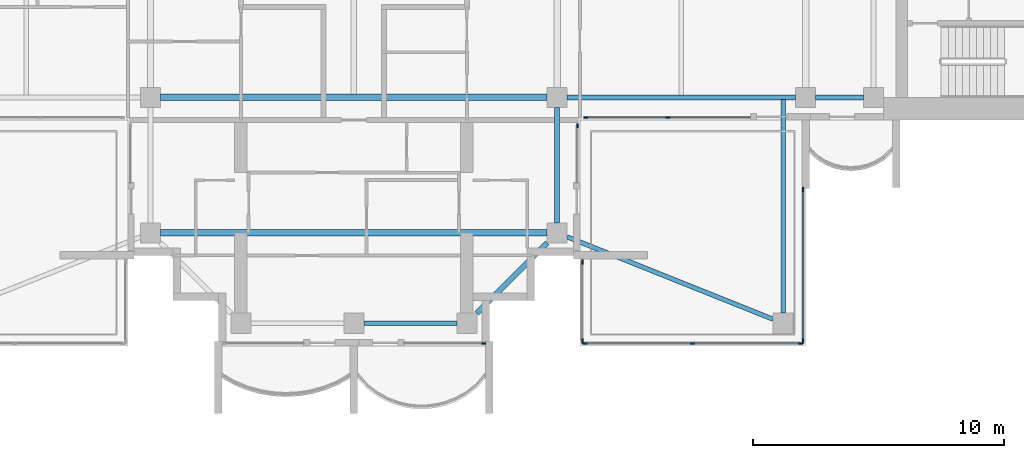
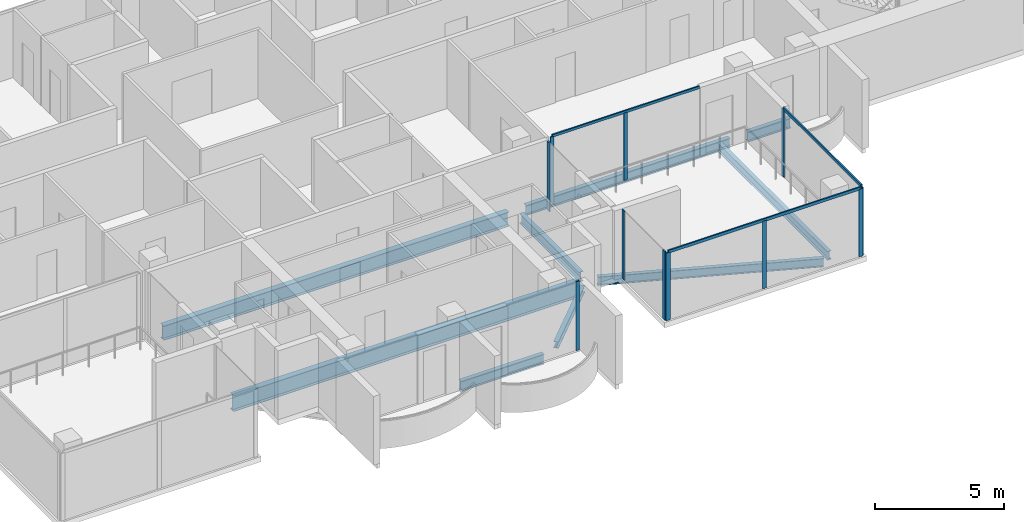
# One storey, part 3 of 17: 14 members, 9 beams, 6 elements without a shape of their own.
"""IFC4 building model written with IfcOpenShell, lengths in metres."""

from ifc_helpers import new_model, si_unit, direction, frame, origin, origin_2d, place, context, subcontext, project, spatial, rectangle, i_section, extrude, material, material_profile, profile_set, type_object, element, aggregate, save


model = new_model("IFC4")

# Units and contexts
model_context = context("Model", 3, precision=1e-05, world=origin(), true_north=direction((0.0, 1.0)))
body_context = subcontext(model_context, "Body", "Model", "MODEL_VIEW")
ifc_project = project(units=[si_unit("LENGTHUNIT", "METRE"), si_unit("AREAUNIT", "SQUARE_METRE"), si_unit("VOLUMEUNIT", "CUBIC_METRE"), si_unit("PLANEANGLEUNIT", "RADIAN"), si_unit("MASSUNIT", "GRAM", prefix="KILO")], contexts=[model_context])

# Site, building, storey
site_placement = place(None, origin())
site = spatial("IfcSite", under=ifc_project, at=site_placement, CompositionType="ELEMENT")
building_placement = place(site_placement, origin())
building = spatial("IfcBuilding", under=site, at=building_placement, Name="Perihelion Cross Residences", CompositionType="ELEMENT")
storey_placement = place(building_placement, frame((0.0, 0.0, 278.0)))
storey = spatial("IfcBuildingStorey", under=building, at=storey_placement, Name="L71", CompositionType="ELEMENT", Elevation=278.0)

# Curtain wall, member
ifc_material_1 = material(Name="Bronze anodised aluminium, tinted glazing", Category="aluminium")
curtain_wall_type_1 = type_object("IfcCurtainWallType", Name="CW1", PredefinedType="NOTDEFINED", material=ifc_material_1)
curtain_wall_1_placement = place(storey_placement, origin())
curtain_wall_1 = element("IfcCurtainWall", 1, at=curtain_wall_1_placement, inside=storey, type_object=curtain_wall_type_1, Name="Curtain wall CW1 L71 south tip south bay 2", PredefinedType="NOTDEFINED")
ifc_material_2 = material(Name="Bronze anodised aluminium", Category="aluminium")
ifc_material_profile_1 = material_profile(ifc_material_2, rectangle(XDim=0.06005859375, YDim=0.159912109375, at=origin_2d()), Name="CW1 mullion")
ifc_profile_set_1 = profile_set([ifc_material_profile_1], Name="Bronze anodised aluminium")
member_type_1 = type_object("IfcMemberType", Name="CW1 mullion", PredefinedType="MULLION", material=ifc_profile_set_1)
member_1_placement = place(storey_placement, frame((5.169921875, -17.89990234375, 0.0), z_axis=(0.0, 0.0, 1.0), x_axis=(0.0, 1.0, 0.0)))
member_1 = element("IfcMember", 2, at=member_1_placement, type_object=member_type_1, Name="CW1 mullion 2", PredefinedType="MULLION", context=body_context, shape_type="SweptSolid", body=[
    extrude(rectangle(XDim=0.06005859375, YDim=0.159912109375, at=origin_2d()), origin(), (0.0, 0.0, 1.0), 3.25),
])
aggregate(curtain_wall_1, [member_1])

curtain_wall_2_placement = place(storey_placement, origin())
curtain_wall_2 = element("IfcCurtainWall", 3, at=curtain_wall_2_placement, inside=storey, type_object=curtain_wall_type_1, Name="Curtain wall CW1 L71 south side east bay 1", PredefinedType="NOTDEFINED")
member_2_placement = place(storey_placement, frame((8.89990234375, -9.22998046875, 0.0), z_axis=(0.0, 0.0, 1.0), x_axis=(-1.0, 0.0, 0.0)))
member_2 = element("IfcMember", 4, at=member_2_placement, type_object=member_type_1, Name="CW1 mullion 2", PredefinedType="MULLION", context=body_context, shape_type="SweptSolid", body=[
    extrude(rectangle(XDim=0.06005859375, YDim=0.159912109375, at=origin_2d()), origin(), (0.0, 0.0, 1.0), 3.25),
])
aggregate(curtain_wall_2, [member_2])

# Curtain wall, members
curtain_wall_3_placement = place(storey_placement, origin())
curtain_wall_3 = element("IfcCurtainWall", 5, at=curtain_wall_3_placement, inside=storey, type_object=curtain_wall_type_1, Name="Curtain wall CW1 L71 east side south bay 1", PredefinedType="NOTDEFINED")
member_3_placement = place(storey_placement, frame((9.22998046875, -8.89990234375, 0.0), z_axis=(0.0, 0.0, 1.0), x_axis=(0.0, 1.0, 0.0)))
member_3 = element("IfcMember", 6, at=member_3_placement, type_object=member_type_1, Name="CW1 mullion 1", PredefinedType="MULLION", context=body_context, shape_type="SweptSolid", body=[
    extrude(rectangle(XDim=0.06005859375, YDim=0.159912109375, at=origin_2d()), origin(), (0.0, 0.0, 1.0), 3.18994140625),
])
member_4_placement = place(storey_placement, frame((12.5, -8.89990234375, 0.0), z_axis=(0.0, 0.0, 1.0), x_axis=(0.0, 1.0, 0.0)))
member_4 = element("IfcMember", 7, at=member_4_placement, type_object=member_type_1, Name="CW1 mullion 2", PredefinedType="MULLION", context=body_context, shape_type="SweptSolid", body=[
    extrude(rectangle(XDim=0.06005859375, YDim=0.159912109375, at=origin_2d()), origin(), (0.0, 0.0, 1.0), 3.18994140625),
])
ifc_material_3 = material(Name="Bronze anodised aluminium", Category="aluminium")
ifc_material_profile_2 = material_profile(ifc_material_3, rectangle(XDim=0.06005859375, YDim=0.1201171875, at=origin_2d()), Name="CW1 transom")
ifc_profile_set_2 = profile_set([ifc_material_profile_2], Name="Bronze anodised aluminium")
member_type_2 = type_object("IfcMemberType", Name="CW1 transom", PredefinedType="USERDEFINED", material=ifc_profile_set_2)
member_5_placement = place(storey_placement, frame((9.22998046875, -8.89990234375, 3.219970703125), z_axis=(1.0, 0.0, 0.0), x_axis=(0.0, 1.0, 0.0)))
member_5 = element("IfcMember", 8, at=member_5_placement, type_object=member_type_2, Name="CW1 head transom", ObjectType="TRANSOM", PredefinedType="USERDEFINED", context=body_context, shape_type="SweptSolid", body=[
    extrude(rectangle(XDim=0.06005859375, YDim=0.1201171875, at=origin_2d()), origin(), (0.0, 0.0, 1.0), 6.570068359375),
])
aggregate(curtain_wall_3, [member_3, member_4, member_5])

ifc_material_4 = material(Name="Bronze anodised aluminium, tinted glazing", Category="aluminium")
curtain_wall_type_2 = type_object("IfcCurtainWallType", Name="CW4", PredefinedType="NOTDEFINED", material=ifc_material_4)
curtain_wall_4_placement = place(storey_placement, origin())
curtain_wall_4 = element("IfcCurtainWall", 9, at=curtain_wall_4_placement, inside=storey, type_object=curtain_wall_type_2, Name="Curtain wall CW4 L71 pocket south-east 1 1", PredefinedType="NOTDEFINED")
ifc_material_5 = material(Name="Bronze anodised aluminium", Category="aluminium")
ifc_material_profile_3 = material_profile(ifc_material_5, rectangle(XDim=0.06005859375, YDim=0.179931640625, at=origin_2d()), Name="CW4 mullion")
ifc_profile_set_3 = profile_set([ifc_material_profile_3], Name="Bronze anodised aluminium")
member_type_3 = type_object("IfcMemberType", Name="CW4 mullion", PredefinedType="MULLION", material=ifc_profile_set_3)
member_6_placement = place(storey_placement, frame((17.89990234375, -11.77001953125, 0.0), z_axis=(0.0, 0.0, 1.0), x_axis=(1.0, 0.0, 0.0)))
member_6 = element("IfcMember", 10, at=member_6_placement, type_object=member_type_3, Name="CW4 mullion 1", PredefinedType="MULLION", context=body_context, shape_type="SweptSolid", body=[
    extrude(rectangle(XDim=0.06005859375, YDim=0.179931640625, at=origin_2d()), origin(), (0.0, 0.0, 1.0), 3.18994140625),
])
member_7_placement = place(storey_placement, frame((17.89990234375, -17.800048828125, 0.0), z_axis=(0.0, 0.0, 1.0), x_axis=(1.0, 0.0, 0.0)))
member_7 = element("IfcMember", 11, at=member_7_placement, type_object=member_type_3, Name="CW4 mullion 2", PredefinedType="MULLION", context=body_context, shape_type="SweptSolid", body=[
    extrude(rectangle(XDim=0.06005859375, YDim=0.179931640625, at=origin_2d()), origin(), (0.0, 0.0, 1.0), 3.18994140625),
])

curtain_wall_5_placement = place(storey_placement, origin())
curtain_wall_5 = element("IfcCurtainWall", 12, at=curtain_wall_5_placement, inside=storey, type_object=curtain_wall_type_2, Name="Curtain wall CW4 L71 pocket south-east 1 2", PredefinedType="NOTDEFINED")
member_8_placement = place(storey_placement, frame((17.800048828125, -17.89990234375, 0.0), z_axis=(0.0, 0.0, 1.0), x_axis=(0.0, -1.0, 0.0)))
member_8 = element("IfcMember", 13, at=member_8_placement, type_object=member_type_3, Name="CW4 mullion 1", PredefinedType="MULLION", context=body_context, shape_type="SweptSolid", body=[
    extrude(rectangle(XDim=0.06005859375, YDim=0.179931640625, at=origin_2d()), origin(), (0.0, 0.0, 1.0), 3.18994140625),
])
member_9_placement = place(storey_placement, frame((13.5, -17.89990234375, 0.0), z_axis=(0.0, 0.0, 1.0), x_axis=(0.0, -1.0, 0.0)))
member_9 = element("IfcMember", 14, at=member_9_placement, type_object=member_type_3, Name="CW4 mullion 2", PredefinedType="MULLION", context=body_context, shape_type="SweptSolid", body=[
    extrude(rectangle(XDim=0.06005859375, YDim=0.179931640625, at=origin_2d()), origin(), (0.0, 0.0, 1.0), 3.18994140625),
])
member_10_placement = place(storey_placement, frame((9.199951171875, -17.89990234375, 0.0), z_axis=(0.0, 0.0, 1.0), x_axis=(0.0, -1.0, 0.0)))
member_10 = element("IfcMember", 15, at=member_10_placement, type_object=member_type_3, Name="CW4 mullion 3", PredefinedType="MULLION", context=body_context, shape_type="SweptSolid", body=[
    extrude(rectangle(XDim=0.06005859375, YDim=0.179931640625, at=origin_2d()), origin(), (0.0, 0.0, 1.0), 3.18994140625),
])

curtain_wall_6_placement = place(storey_placement, origin())
curtain_wall_6 = element("IfcCurtainWall", 16, at=curtain_wall_6_placement, inside=storey, type_object=curtain_wall_type_2, Name="Curtain wall CW4 L71 pocket south-east 1 3", PredefinedType="NOTDEFINED")
member_11_placement = place(storey_placement, frame((9.10009765625, -17.800048828125, 0.0), z_axis=(0.0, 0.0, 1.0), x_axis=(-1.0, 0.0, 0.0)))
member_11 = element("IfcMember", 17, at=member_11_placement, type_object=member_type_3, Name="CW4 mullion 1", PredefinedType="MULLION", context=body_context, shape_type="SweptSolid", body=[
    extrude(rectangle(XDim=0.06005859375, YDim=0.179931640625, at=origin_2d()), origin(), (0.0, 0.0, 1.0), 3.25),
])
member_12_placement = place(storey_placement, frame((9.10009765625, -14.658935546875, 0.0), z_axis=(0.0, 0.0, 1.0), x_axis=(-1.0, 0.0, 0.0)))
member_12 = element("IfcMember", 18, at=member_12_placement, type_object=member_type_3, Name="CW4 mullion 2", PredefinedType="MULLION", context=body_context, shape_type="SweptSolid", body=[
    extrude(rectangle(XDim=0.06005859375, YDim=0.179931640625, at=origin_2d()), origin(), (0.0, 0.0, 1.0), 3.25),
])
aggregate(curtain_wall_6, [member_11, member_12])

# Member
ifc_material_6 = material(Name="Bronze anodised aluminium", Category="aluminium")
ifc_material_profile_4 = material_profile(ifc_material_6, rectangle(XDim=0.06005859375, YDim=0.139892578125, at=origin_2d()), Name="CW4 transom")
ifc_profile_set_4 = profile_set([ifc_material_profile_4], Name="Bronze anodised aluminium")
member_type_4 = type_object("IfcMemberType", Name="CW4 transom", PredefinedType="USERDEFINED", material=ifc_profile_set_4)
member_13_placement = place(storey_placement, frame((17.89990234375, -11.77001953125, 3.219970703125), z_axis=(0.0, -1.0, 0.0), x_axis=(1.0, 0.0, 0.0)))
member_13 = element("IfcMember", 19, at=member_13_placement, type_object=member_type_4, Name="CW4 head transom", ObjectType="TRANSOM", PredefinedType="USERDEFINED", context=body_context, shape_type="SweptSolid", body=[
    extrude(rectangle(XDim=0.06005859375, YDim=0.139892578125, at=origin_2d()), origin(), (0.0, 0.0, 1.0), 6.030029296875),
])

aggregate(curtain_wall_4, [member_6, member_7, member_13])

member_14_placement = place(storey_placement, frame((17.800048828125, -17.89990234375, 3.219970703125), z_axis=(-1.0, 0.0, 0.0), x_axis=(0.0, -1.0, 0.0)))
member_14 = element("IfcMember", 20, at=member_14_placement, type_object=member_type_4, Name="CW4 head transom", ObjectType="TRANSOM", PredefinedType="USERDEFINED", context=body_context, shape_type="SweptSolid", body=[
    extrude(rectangle(XDim=0.06005859375, YDim=0.139892578125, at=origin_2d()), origin(), (0.0, 0.0, 1.0), 8.60009765625),
])

aggregate(curtain_wall_5, [member_8, member_9, member_10, member_14])

# Beams
ifc_material_7 = material(Name="Steel S355", Category="steel")
ifc_material_profile_5 = material_profile(ifc_material_7, i_section(OverallWidth=0.177978515625, OverallDepth=0.406005859375, WebThickness=0.0078125, FlangeThickness=0.0126953125, at=origin_2d()), Name="W410x60")
ifc_profile_set_5 = profile_set([ifc_material_profile_5], Name="Steel S355")
beam_type_1 = type_object("IfcBeamType", Name="Core edge beam W410x60", PredefinedType="BEAM", material=ifc_profile_set_5)
beam_1_placement = place(storey_placement, frame((17.10009765625, -8.197021484375, -0.452880859375), z_axis=(0.0, -1.0, 0.0), x_axis=(1.0, 0.0, 0.0)))
element("IfcBeam", 21, at=beam_1_placement, inside=storey, type_object=beam_type_1, Name="Core edge beam TB2 L71 corner no. 3", PredefinedType="BEAM", context=body_context, shape_type="SweptSolid", body=[
    extrude(i_section(OverallWidth=0.177978515625, OverallDepth=0.406005859375, WebThickness=0.0078125, FlangeThickness=0.0126953125, at=origin_2d()), origin(), (0.0, 0.0, 1.0), 8.5029296875),
])
beam_2_placement = place(storey_placement, frame((8.5, -13.659912109375, -0.452880859375), z_axis=(0.928474784399, -0.371395442534, 0.0), x_axis=(0.371395442534, 0.928474784399, 0.0)))
element("IfcBeam", 22, at=beam_2_placement, inside=storey, type_object=beam_type_1, Name="Core edge beam TB2 L71 corner no. 4", PredefinedType="BEAM", context=body_context, shape_type="SweptSolid", body=[
    extrude(i_section(OverallWidth=0.177978515625, OverallDepth=0.406005859375, WebThickness=0.0078125, FlangeThickness=0.0126953125, at=origin_2d()), origin(), (0.0, 0.0, 1.0), 8.83154296875),
])
ifc_material_8 = material(Name="Steel S355", Category="steel")
ifc_material_profile_6 = material_profile(ifc_material_8, i_section(OverallWidth=0.194091796875, OverallDepth=0.469970703125, WebThickness=0.0126953125, FlangeThickness=0.0205078125, at=origin_2d()), Name="W460x106")
ifc_profile_set_6 = profile_set([ifc_material_profile_6], Name="Steel S355")
beam_type_2 = type_object("IfcBeamType", Name="Edge beam W460x106", PredefinedType="SPANDREL", material=ifc_profile_set_6)
beam_3_placement = place(storey_placement, frame((0.39990234375, -17.10009765625, -0.485107421875), z_axis=(1.0, 0.0, 0.0), x_axis=(0.0, 1.0, 0.0)))
element("IfcBeam", 23, at=beam_3_placement, inside=storey, type_object=beam_type_2, Name="Edge beam SB5 L71 no. 7", PredefinedType="SPANDREL", context=body_context, shape_type="SweptSolid", body=[
    extrude(i_section(OverallWidth=0.194091796875, OverallDepth=0.469970703125, WebThickness=0.0126953125, FlangeThickness=0.0205078125, at=origin_2d()), origin(), (0.0, 0.0, 1.0), 3.7001953125),
])
beam_4_placement = place(storey_placement, frame((8.10009765625, -13.10009765625, -0.485107421875), z_axis=(0.0, 1.0, 0.0), x_axis=(-1.0, 0.0, 0.0)))
element("IfcBeam", 24, at=beam_4_placement, inside=storey, type_object=beam_type_2, Name="Edge beam SB5 L71 no. 11", PredefinedType="SPANDREL", context=body_context, shape_type="SweptSolid", body=[
    extrude(i_section(OverallWidth=0.194091796875, OverallDepth=0.469970703125, WebThickness=0.0126953125, FlangeThickness=0.0205078125, at=origin_2d()), origin(), (0.0, 0.0, 1.0), 4.60009765625),
])
beam_5_placement = place(storey_placement, frame((8.5, -8.10009765625, -0.485107421875), z_axis=(1.0, 0.0, 0.0), x_axis=(0.0, 1.0, 0.0)))
element("IfcBeam", 25, at=beam_5_placement, inside=storey, type_object=beam_type_2, Name="Edge beam SB5 L71 no. 12", PredefinedType="SPANDREL", context=body_context, shape_type="SweptSolid", body=[
    extrude(i_section(OverallWidth=0.194091796875, OverallDepth=0.469970703125, WebThickness=0.0126953125, FlangeThickness=0.0205078125, at=origin_2d()), origin(), (0.0, 0.0, 1.0), 9.10009765625),
])
beam_6_placement = place(storey_placement, frame((18.39990234375, -8.10009765625, -0.485107421875), z_axis=(1.0, 0.0, 0.0), x_axis=(0.0, 1.0, 0.0)))
element("IfcBeam", 26, at=beam_6_placement, inside=storey, type_object=beam_type_2, Name="Edge beam SB5 L71 no. 8", PredefinedType="SPANDREL", context=body_context, shape_type="SweptSolid", body=[
    extrude(i_section(OverallWidth=0.194091796875, OverallDepth=0.469970703125, WebThickness=0.0126953125, FlangeThickness=0.0205078125, at=origin_2d()), origin(), (0.0, 0.0, 1.0), 1.900146484375),
])
ifc_material_9 = material(Name="Steel S355", Category="steel")
ifc_material_profile_7 = material_profile(ifc_material_9, i_section(OverallWidth=0.26708984375, OverallDepth=0.75390625, WebThickness=0.01318359375, FlangeThickness=0.01708984375, at=origin_2d()), Name="W760x147")
ifc_profile_set_7 = profile_set([ifc_material_profile_7], Name="Steel S355")
beam_type_3 = type_object("IfcBeamType", Name="Floor girder W760x147", PredefinedType="BEAM", material=ifc_profile_set_7)
beam_7_placement = place(storey_placement, frame((-7.699951171875, -13.5, -0.626953125), z_axis=(1.0, 0.0, 0.0), x_axis=(0.0, 1.0, 0.0)))
element("IfcBeam", 27, at=beam_7_placement, inside=storey, type_object=beam_type_3, Name="Girder G5 L71 no. 3", PredefinedType="BEAM", context=body_context, shape_type="SweptSolid", body=[
    extrude(i_section(OverallWidth=0.26708984375, OverallDepth=0.75390625, WebThickness=0.01318359375, FlangeThickness=0.01708984375, at=origin_2d()), origin(), (0.0, 0.0, 1.0), 15.39990234375),
])
ifc_material_10 = material(Name="Steel S355", Category="steel")
ifc_material_profile_8 = material_profile(ifc_material_10, i_section(OverallWidth=0.25390625, OverallDepth=0.677978515625, WebThickness=0.01171875, FlangeThickness=0.016357421875, at=origin_2d()), Name="W690x125")
ifc_profile_set_8 = profile_set([ifc_material_profile_8], Name="Steel S355")
beam_type_4 = type_object("IfcBeamType", Name="Hub ring girder W690x125", PredefinedType="BEAM", material=ifc_profile_set_8)
beam_8_placement = place(storey_placement, frame((-7.699951171875, -8.10009765625, -0.589111328125), z_axis=(1.0, 0.0, 0.0), x_axis=(0.0, 1.0, 0.0)))
element("IfcBeam", 28, at=beam_8_placement, inside=storey, type_object=beam_type_4, Name="Hub ring girder RG5 L71 no. 1", PredefinedType="BEAM", context=body_context, shape_type="SweptSolid", body=[
    extrude(i_section(OverallWidth=0.25390625, OverallDepth=0.677978515625, WebThickness=0.01171875, FlangeThickness=0.016357421875, at=origin_2d()), origin(), (0.0, 0.0, 1.0), 15.39990234375),
])
ifc_material_11 = material(Name="Steel S355", Category="steel")
ifc_material_profile_9 = material_profile(ifc_material_11, i_section(OverallWidth=0.202880859375, OverallDepth=0.302001953125, WebThickness=0.007568359375, FlangeThickness=0.01318359375, at=origin_2d()), Name="W310x60")
ifc_profile_set_9 = profile_set([ifc_material_profile_9], Name="Steel S355")
beam_type_5 = type_object("IfcBeamType", Name="Serration edge beam W310x60", PredefinedType="BEAM", material=ifc_profile_set_9)
beam_9_placement = place(storey_placement, frame((4.89990234375, -16.699951171875, -0.40087890625), z_axis=(0.707106781187, 0.707106781187, 0.0), x_axis=(-0.707106781187, 0.707106781187, 0.0)))
element("IfcBeam", 29, at=beam_9_placement, inside=storey, type_object=beam_type_5, Name="Serration edge beam EB5 L71 no. 2", PredefinedType="BEAM", context=body_context, shape_type="SweptSolid", body=[
    extrude(i_section(OverallWidth=0.202880859375, OverallDepth=0.302001953125, WebThickness=0.007568359375, FlangeThickness=0.01318359375, at=origin_2d()), origin(), (0.0, 0.0, 1.0), 3.9599609375),
])

save(model, "model.ifc")
